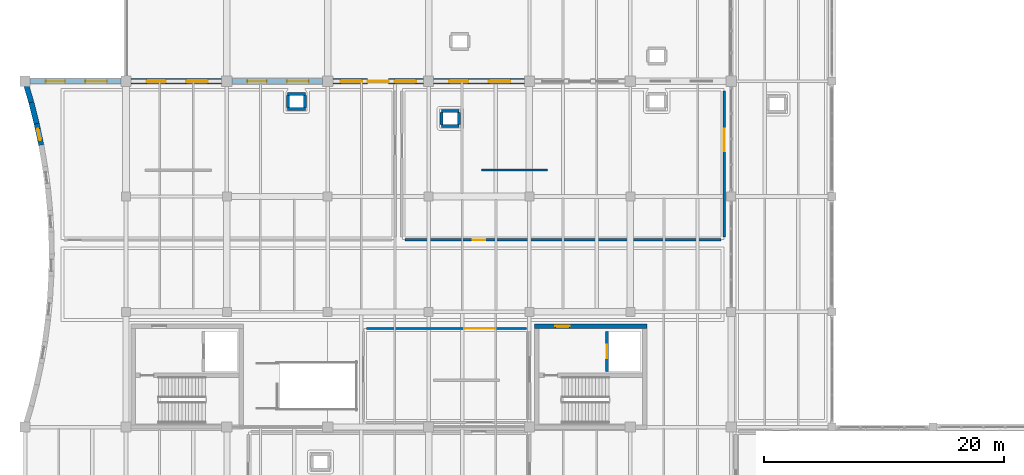
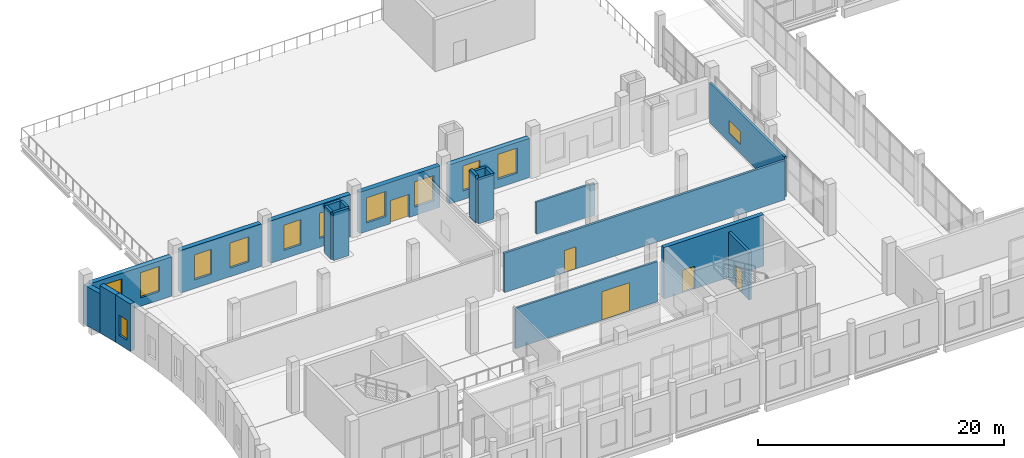
# One storey, part 56 of 73: 22 walls, 12 windows, 5 doors, 17 openings.
"""IFC4 building model written with IfcOpenShell, lengths in metres."""

from ifc_helpers import new_model, si_unit, direction, frame, frame_2d, origin, place, context, subcontext, project, spatial, rectangle, extrude, material, layer, layer_set, type_object, element, fill, save


model = new_model("IFC4")

# Units and contexts
model_context = context("Model", 3, precision=1e-05, world=origin(), true_north=direction((0.0, 1.0)))
body_context = subcontext(model_context, "Body", "Model", "MODEL_VIEW")
ifc_project = project(units=[si_unit("LENGTHUNIT", "METRE"), si_unit("AREAUNIT", "SQUARE_METRE"), si_unit("VOLUMEUNIT", "CUBIC_METRE"), si_unit("PLANEANGLEUNIT", "RADIAN"), si_unit("MASSUNIT", "GRAM", prefix="KILO")], contexts=[model_context])

# Site, building, storey
site_placement = place(None, origin())
site = spatial("IfcSite", under=ifc_project, at=site_placement, CompositionType="ELEMENT")
building_placement = place(site_placement, origin())
building = spatial("IfcBuilding", under=site, at=building_placement, Name="Zulmaris Art Gallery", CompositionType="ELEMENT")
storey_placement = place(building_placement, frame((0.0, 0.0, 10.5)))
storey = spatial("IfcBuildingStorey", under=building, at=storey_placement, Name="L02", CompositionType="ELEMENT", Elevation=10.5)

# Wall, opening, window
ifc_material_1 = material(Name="Omani Cream Limestone Ashlar Masonry", Category="masonry")
ifc_layer_1 = layer(ifc_material_1, 0.43994140625)
ifc_layer_set_1 = layer_set([ifc_layer_1], Name="Omani Cream Limestone Ashlar Masonry")
wall_type_1 = type_object("IfcWallType", Name="ENV-WALL-EW01", PredefinedType="SOLIDWALL", material=ifc_layer_set_1)
wall_1_placement = place(storey_placement, frame((25.34326171875, 45.085693359375, 0.0), z_axis=(0.0, 0.0, 1.0), x_axis=(-0.207941813813, 0.978141197409, 0.0)))
wall_1 = element("IfcWall", 1, at=wall_1_placement, inside=storey, type_object=wall_type_1, Name="L02 Concave Scooped Limestone Chord 14", PredefinedType="SOLIDWALL", context=body_context, shape_type="SweptSolid", body=[
    extrude(rectangle(XDim=1.828125, YDim=0.43994140625, at=frame_2d((0.9140625, 0.0))), origin(), (0.0, 0.0, 1.0), 4.699951171875),
])
opening_1_placement = place(wall_1_placement, frame((0.419921875, 0.0, 0.89990234375)))
opening_1 = element("IfcOpeningElement", 2, at=opening_1_placement, cuts=wall_1, Name="Opening W06", PredefinedType="OPENING", context=body_context, shape_type="SweptSolid", body=[
    extrude(rectangle(XDim=0.949951171875, YDim=2.0, at=frame_2d((0.47509765625, 1.0))), frame((0.0, 0.22998046875, 0.0), z_axis=(0.0, -1.0, 0.0), x_axis=(1.0, 0.0, 0.0)), (0.0, 0.0, 1.0), 0.4599609375),
])
ifc_material_2 = material(Name="Art Deco Stepped-Head Pier Window", Category="glass")
window_type_1 = type_object("IfcWindowType", Name="WIN-W06", PartitioningType="SINGLE_PANEL", PredefinedType="WINDOW", material=ifc_material_2)
window_1_placement = place(opening_1_placement, origin())
window_1 = element("IfcWindow", 3, at=window_1_placement, inside=storey, type_object=window_type_1, Name="L02 exterior window W06", OverallHeight=2.0, OverallWidth=0.949951171875, PartitioningType="SINGLE_PANEL", PredefinedType="WINDOW", context=body_context, shape_type="SweptSolid", body=[
    extrude(rectangle(XDim=0.949951171875, YDim=2.0, at=frame_2d((0.47509765625, 1.0))), frame((0.0, 0.030029296875, 0.0), z_axis=(0.0, -1.0, 0.0), x_axis=(1.0, 0.0, 0.0)), (0.0, 0.0, 1.0), 0.06005859375),
])
fill(opening_1, window_1)

# Walls
wall_2_placement = place(storey_placement, frame((24.963134765625, 46.873779296875, 0.0), z_axis=(0.0, 0.0, 1.0), x_axis=(-0.245080262371, 0.969502792671, 0.0)))
element("IfcWall", 4, at=wall_2_placement, inside=storey, type_object=wall_type_1, Name="L02 Concave Scooped Limestone Chord 15", PredefinedType="SOLIDWALL", context=body_context, shape_type="SweptSolid", body=[
    extrude(rectangle(XDim=1.827880859375, YDim=0.43994140625, at=frame_2d((0.9140625, 0.0))), origin(), (0.0, 0.0, 1.0), 4.699951171875),
])
wall_3_placement = place(storey_placement, frame((24.51513671875, 48.64599609375, 0.0), z_axis=(0.0, 0.0, 1.0), x_axis=(-0.281804764954, 0.959471768448, 0.0)))
element("IfcWall", 5, at=wall_3_placement, inside=storey, type_object=wall_type_1, Name="L02 Concave Scooped Limestone Chord 16", PredefinedType="SOLIDWALL", context=body_context, shape_type="SweptSolid", body=[
    extrude(rectangle(XDim=1.827880859375, YDim=0.43994140625, at=frame_2d((0.9140625, 0.0))), origin(), (0.0, 0.0, 1.0), 3.89990234375),
])

# Wall, openings, windows
wall_4_placement = place(storey_placement, frame((24.427001953125, 50.39990234375, 0.0), z_axis=(0.0, 0.0, 1.0), x_axis=(1.0, 0.0, 0.0)))
wall_4 = element("IfcWall", 6, at=wall_4_placement, inside=storey, type_object=wall_type_1, Name="L02 V1 North Wall Bay 1", PredefinedType="SOLIDWALL", context=body_context, shape_type="SweptSolid", body=[
    extrude(rectangle(XDim=7.5458984375, YDim=0.43994140625, at=frame_2d((3.77294921875, 0.0))), origin(), (0.0, 0.0, 1.0), 3.89990234375),
])
opening_2_placement = place(wall_4_placement, frame((1.29296875, 0.0, 0.85009765625)))
opening_2 = element("IfcOpeningElement", 7, at=opening_2_placement, cuts=wall_4, Name="Opening W01", PredefinedType="OPENING", context=body_context, shape_type="SweptSolid", body=[
    extrude(rectangle(XDim=1.60009765625, YDim=2.5, at=frame_2d((0.800048828125, 1.25))), frame((0.0, 0.22998046875, 0.0), z_axis=(0.0, -1.0, 0.0), x_axis=(1.0, 0.0, 0.0)), (0.0, 0.0, 1.0), 0.4599609375),
])
opening_3_placement = place(wall_4_placement, frame((4.593017578125, 0.0, 0.85009765625)))
opening_3 = element("IfcOpeningElement", 8, at=opening_3_placement, cuts=wall_4, Name="Opening W02", PredefinedType="OPENING", context=body_context, shape_type="SweptSolid", body=[
    extrude(rectangle(XDim=1.800048828125, YDim=2.5, at=frame_2d((0.89990234375, 1.25))), frame((0.0, 0.22998046875, 0.0), z_axis=(0.0, -1.0, 0.0), x_axis=(1.0, 0.0, 0.0)), (0.0, 0.0, 1.0), 0.4599609375),
])
ifc_material_3 = material(Name="Double-Glazed Solar-Control Low-E Window", Category="glass")
window_type_2 = type_object("IfcWindowType", Name="WIN-W01", PartitioningType="SINGLE_PANEL", PredefinedType="WINDOW", material=ifc_material_3)
window_2_placement = place(opening_2_placement, origin())
window_2 = element("IfcWindow", 9, at=window_2_placement, inside=storey, type_object=window_type_2, Name="L02 exterior window W01", OverallHeight=2.5, OverallWidth=1.60009765625, PartitioningType="SINGLE_PANEL", PredefinedType="WINDOW", context=body_context, shape_type="SweptSolid", body=[
    extrude(rectangle(XDim=1.60009765625, YDim=2.5, at=frame_2d((0.800048828125, 1.25))), frame((0.0, 0.030029296875, 0.0), z_axis=(0.0, -1.0, 0.0), x_axis=(1.0, 0.0, 0.0)), (0.0, 0.0, 1.0), 0.06005859375),
])
fill(opening_2, window_2)
window_type_3 = type_object("IfcWindowType", Name="WIN-W02", PartitioningType="SINGLE_PANEL", PredefinedType="WINDOW", material=ifc_material_3)
window_3_placement = place(opening_3_placement, origin())
window_3 = element("IfcWindow", 10, at=window_3_placement, inside=storey, type_object=window_type_3, Name="L02 exterior window W02", OverallHeight=2.5, OverallWidth=1.800048828125, PartitioningType="SINGLE_PANEL", PredefinedType="WINDOW", context=body_context, shape_type="SweptSolid", body=[
    extrude(rectangle(XDim=1.800048828125, YDim=2.5, at=frame_2d((0.89990234375, 1.25))), frame((0.0, 0.030029296875, 0.0), z_axis=(0.0, -1.0, 0.0), x_axis=(1.0, 0.0, 0.0)), (0.0, 0.0, 1.0), 0.06005859375),
])
fill(opening_3, window_3)

wall_5_placement = place(storey_placement, frame((32.826904296875, 50.39990234375, 0.0), z_axis=(0.0, 0.0, 1.0), x_axis=(1.0, 0.0, 0.0)))
wall_5 = element("IfcWall", 11, at=wall_5_placement, inside=storey, type_object=wall_type_1, Name="L02 V1 North Wall Bay 2", PredefinedType="SOLIDWALL", context=body_context, shape_type="SweptSolid", body=[
    extrude(rectangle(XDim=7.546142578125, YDim=0.43994140625, at=frame_2d((3.77294921875, 0.0))), origin(), (0.0, 0.0, 1.0), 4.22998046875),
])
opening_4_placement = place(wall_5_placement, frame((1.29296875, 0.0, 0.85009765625)))
opening_4 = element("IfcOpeningElement", 12, at=opening_4_placement, cuts=wall_5, Name="Opening W01", PredefinedType="OPENING", context=body_context, shape_type="SweptSolid", body=[
    extrude(rectangle(XDim=1.60009765625, YDim=2.5, at=frame_2d((0.800048828125, 1.25))), frame((0.0, 0.22998046875, 0.0), z_axis=(0.0, -1.0, 0.0), x_axis=(1.0, 0.0, 0.0)), (0.0, 0.0, 1.0), 0.4599609375),
])
opening_5_placement = place(wall_5_placement, frame((4.593017578125, 0.0, 0.85009765625)))
opening_5 = element("IfcOpeningElement", 13, at=opening_5_placement, cuts=wall_5, Name="Opening W02", PredefinedType="OPENING", context=body_context, shape_type="SweptSolid", body=[
    extrude(rectangle(XDim=1.800048828125, YDim=2.5, at=frame_2d((0.89990234375, 1.25))), frame((0.0, 0.22998046875, 0.0), z_axis=(0.0, -1.0, 0.0), x_axis=(1.0, 0.0, 0.0)), (0.0, 0.0, 1.0), 0.4599609375),
])
window_4_placement = place(opening_4_placement, origin())
window_4 = element("IfcWindow", 14, at=window_4_placement, inside=storey, type_object=window_type_2, Name="L02 exterior window W01", OverallHeight=2.5, OverallWidth=1.60009765625, PartitioningType="SINGLE_PANEL", PredefinedType="WINDOW", context=body_context, shape_type="SweptSolid", body=[
    extrude(rectangle(XDim=1.60009765625, YDim=2.5, at=frame_2d((0.800048828125, 1.25))), frame((0.0, 0.030029296875, 0.0), z_axis=(0.0, -1.0, 0.0), x_axis=(1.0, 0.0, 0.0)), (0.0, 0.0, 1.0), 0.06005859375),
])
fill(opening_4, window_4)
window_5_placement = place(opening_5_placement, origin())
window_5 = element("IfcWindow", 15, at=window_5_placement, inside=storey, type_object=window_type_3, Name="L02 exterior window W02", OverallHeight=2.5, OverallWidth=1.800048828125, PartitioningType="SINGLE_PANEL", PredefinedType="WINDOW", context=body_context, shape_type="SweptSolid", body=[
    extrude(rectangle(XDim=1.800048828125, YDim=2.5, at=frame_2d((0.89990234375, 1.25))), frame((0.0, 0.030029296875, 0.0), z_axis=(0.0, -1.0, 0.0), x_axis=(1.0, 0.0, 0.0)), (0.0, 0.0, 1.0), 0.06005859375),
])
fill(opening_5, window_5)

wall_6_placement = place(storey_placement, frame((41.22705078125, 50.39990234375, 0.0), z_axis=(0.0, 0.0, 1.0), x_axis=(1.0, 0.0, 0.0)))
wall_6 = element("IfcWall", 16, at=wall_6_placement, inside=storey, type_object=wall_type_1, Name="L02 V1 North Wall Bay 3", PredefinedType="SOLIDWALL", context=body_context, shape_type="SweptSolid", body=[
    extrude(rectangle(XDim=7.5458984375, YDim=0.43994140625, at=frame_2d((3.77294921875, 0.0))), origin(), (0.0, 0.0, 1.0), 4.2099609375),
])
opening_6_placement = place(wall_6_placement, frame((1.29296875, 0.0, 0.85009765625)))
opening_6 = element("IfcOpeningElement", 17, at=opening_6_placement, cuts=wall_6, Name="Opening W01", PredefinedType="OPENING", context=body_context, shape_type="SweptSolid", body=[
    extrude(rectangle(XDim=1.60009765625, YDim=2.5, at=frame_2d((0.800048828125, 1.25))), frame((0.0, 0.22998046875, 0.0), z_axis=(0.0, -1.0, 0.0), x_axis=(1.0, 0.0, 0.0)), (0.0, 0.0, 1.0), 0.4599609375),
])
opening_7_placement = place(wall_6_placement, frame((4.593017578125, 0.0, 0.85009765625)))
opening_7 = element("IfcOpeningElement", 18, at=opening_7_placement, cuts=wall_6, Name="Opening W02", PredefinedType="OPENING", context=body_context, shape_type="SweptSolid", body=[
    extrude(rectangle(XDim=1.800048828125, YDim=2.5, at=frame_2d((0.89990234375, 1.25))), frame((0.0, 0.22998046875, 0.0), z_axis=(0.0, -1.0, 0.0), x_axis=(1.0, 0.0, 0.0)), (0.0, 0.0, 1.0), 0.4599609375),
])
window_6_placement = place(opening_6_placement, origin())
window_6 = element("IfcWindow", 19, at=window_6_placement, inside=storey, type_object=window_type_2, Name="L02 exterior window W01", OverallHeight=2.5, OverallWidth=1.60009765625, PartitioningType="SINGLE_PANEL", PredefinedType="WINDOW", context=body_context, shape_type="SweptSolid", body=[
    extrude(rectangle(XDim=1.60009765625, YDim=2.5, at=frame_2d((0.800048828125, 1.25))), frame((0.0, 0.030029296875, 0.0), z_axis=(0.0, -1.0, 0.0), x_axis=(1.0, 0.0, 0.0)), (0.0, 0.0, 1.0), 0.06005859375),
])
fill(opening_6, window_6)
window_7_placement = place(opening_7_placement, origin())
window_7 = element("IfcWindow", 20, at=window_7_placement, inside=storey, type_object=window_type_3, Name="L02 exterior window W02", OverallHeight=2.5, OverallWidth=1.800048828125, PartitioningType="SINGLE_PANEL", PredefinedType="WINDOW", context=body_context, shape_type="SweptSolid", body=[
    extrude(rectangle(XDim=1.800048828125, YDim=2.5, at=frame_2d((0.89990234375, 1.25))), frame((0.0, 0.030029296875, 0.0), z_axis=(0.0, -1.0, 0.0), x_axis=(1.0, 0.0, 0.0)), (0.0, 0.0, 1.0), 0.06005859375),
])
fill(opening_7, window_7)

# Wall, openings, door, windows
wall_7_placement = place(storey_placement, frame((49.626953125, 50.39990234375, 0.0), z_axis=(0.0, 0.0, 1.0), x_axis=(1.0, 0.0, 0.0)))
wall_7 = element("IfcWall", 21, at=wall_7_placement, inside=storey, type_object=wall_type_1, Name="L02 V1 North Wall Bay 4", PredefinedType="SOLIDWALL", context=body_context, shape_type="SweptSolid", body=[
    extrude(rectangle(XDim=7.546142578125, YDim=0.43994140625, at=frame_2d((3.77294921875, 0.0))), origin(), (0.0, 0.0, 1.0), 4.10009765625),
])
opening_8_placement = place(wall_7_placement, frame((0.64306640625, 0.0, 0.85009765625)))
opening_8 = element("IfcOpeningElement", 22, at=opening_8_placement, cuts=wall_7, Name="Opening W02", PredefinedType="OPENING", context=body_context, shape_type="SweptSolid", body=[
    extrude(rectangle(XDim=1.800048828125, YDim=2.5, at=frame_2d((0.89990234375, 1.25))), frame((0.0, 0.22998046875, 0.0), z_axis=(0.0, -1.0, 0.0), x_axis=(1.0, 0.0, 0.0)), (0.0, 0.0, 1.0), 0.4599609375),
])
opening_9_placement = place(wall_7_placement, frame((5.14306640625, 0.0, 0.85009765625)))
opening_9 = element("IfcOpeningElement", 23, at=opening_9_placement, cuts=wall_7, Name="Opening W02", PredefinedType="OPENING", context=body_context, shape_type="SweptSolid", body=[
    extrude(rectangle(XDim=1.800048828125, YDim=2.5, at=frame_2d((0.89990234375, 1.25))), frame((0.0, 0.22998046875, 0.0), z_axis=(0.0, -1.0, 0.0), x_axis=(1.0, 0.0, 0.0)), (0.0, 0.0, 1.0), 0.4599609375),
])
opening_10_placement = place(wall_7_placement, frame((2.89306640625, 0.0, 0.0)))
opening_10 = element("IfcOpeningElement", 24, at=opening_10_placement, cuts=wall_7, Name="Opening TD01", PredefinedType="OPENING", context=body_context, shape_type="SweptSolid", body=[
    extrude(rectangle(XDim=1.75, YDim=2.300048828125, at=frame_2d((0.875, 1.14990234375))), frame((0.0, 0.22998046875, 0.0), z_axis=(0.0, -1.0, 0.0), x_axis=(1.0, 0.0, 0.0)), (0.0, 0.0, 1.0), 0.4599609375),
])
ifc_material_4 = material(Name="Bronze-Framed Terrace Access Double Door", Category="glass")
door_type_1 = type_object("IfcDoorType", Name="EDOOR-TD01", OperationType="DOUBLE_SWING_LEFT", PredefinedType="DOOR", material=ifc_material_4)
door_1_placement = place(opening_10_placement, origin())
door_1 = element("IfcDoor", 25, at=door_1_placement, inside=storey, type_object=door_type_1, Name="L02 Auditorium Roof Terrace Door 3", OperationType="DOUBLE_SWING_LEFT", OverallHeight=2.300048828125, OverallWidth=1.75, PredefinedType="DOOR", context=body_context, shape_type="SweptSolid", body=[
    extrude(rectangle(XDim=1.75, YDim=2.300048828125, at=frame_2d((0.875, 1.14990234375))), frame((0.0, 0.02490234375, 0.0), z_axis=(0.0, -1.0, 0.0), x_axis=(1.0, 0.0, 0.0)), (0.0, 0.0, 1.0), 0.050048828125),
])
fill(opening_10, door_1)
window_8_placement = place(opening_8_placement, origin())
window_8 = element("IfcWindow", 26, at=window_8_placement, inside=storey, type_object=window_type_3, Name="L02 exterior window W02", OverallHeight=2.5, OverallWidth=1.800048828125, PartitioningType="SINGLE_PANEL", PredefinedType="WINDOW", context=body_context, shape_type="SweptSolid", body=[
    extrude(rectangle(XDim=1.800048828125, YDim=2.5, at=frame_2d((0.89990234375, 1.25))), frame((0.0, 0.030029296875, 0.0), z_axis=(0.0, -1.0, 0.0), x_axis=(1.0, 0.0, 0.0)), (0.0, 0.0, 1.0), 0.06005859375),
])
fill(opening_8, window_8)
window_9_placement = place(opening_9_placement, origin())
window_9 = element("IfcWindow", 27, at=window_9_placement, inside=storey, type_object=window_type_3, Name="L02 exterior window W02", OverallHeight=2.5, OverallWidth=1.800048828125, PartitioningType="SINGLE_PANEL", PredefinedType="WINDOW", context=body_context, shape_type="SweptSolid", body=[
    extrude(rectangle(XDim=1.800048828125, YDim=2.5, at=frame_2d((0.89990234375, 1.25))), frame((0.0, 0.030029296875, 0.0), z_axis=(0.0, -1.0, 0.0), x_axis=(1.0, 0.0, 0.0)), (0.0, 0.0, 1.0), 0.06005859375),
])
fill(opening_9, window_9)

# Wall, openings, windows
wall_8_placement = place(storey_placement, frame((58.027099609375, 50.39990234375, 0.0), z_axis=(0.0, 0.0, 1.0), x_axis=(1.0, 0.0, 0.0)))
wall_8 = element("IfcWall", 28, at=wall_8_placement, inside=storey, type_object=wall_type_1, Name="L02 V1 North Wall Bay 5", PredefinedType="SOLIDWALL", context=body_context, shape_type="SweptSolid", body=[
    extrude(rectangle(XDim=7.5458984375, YDim=0.43994140625, at=frame_2d((3.77294921875, 0.0))), origin(), (0.0, 0.0, 1.0), 3.89990234375),
])
opening_11_placement = place(wall_8_placement, frame((1.29296875, 0.0, 0.85009765625)))
opening_11 = element("IfcOpeningElement", 29, at=opening_11_placement, cuts=wall_8, Name="Opening W01", PredefinedType="OPENING", context=body_context, shape_type="SweptSolid", body=[
    extrude(rectangle(XDim=1.60009765625, YDim=2.5, at=frame_2d((0.800048828125, 1.25))), frame((0.0, 0.22998046875, 0.0), z_axis=(0.0, -1.0, 0.0), x_axis=(1.0, 0.0, 0.0)), (0.0, 0.0, 1.0), 0.4599609375),
])
opening_12_placement = place(wall_8_placement, frame((4.593017578125, 0.0, 0.85009765625)))
opening_12 = element("IfcOpeningElement", 30, at=opening_12_placement, cuts=wall_8, Name="Opening W02", PredefinedType="OPENING", context=body_context, shape_type="SweptSolid", body=[
    extrude(rectangle(XDim=1.800048828125, YDim=2.5, at=frame_2d((0.89990234375, 1.25))), frame((0.0, 0.22998046875, 0.0), z_axis=(0.0, -1.0, 0.0), x_axis=(1.0, 0.0, 0.0)), (0.0, 0.0, 1.0), 0.4599609375),
])
window_10_placement = place(opening_11_placement, origin())
window_10 = element("IfcWindow", 31, at=window_10_placement, inside=storey, type_object=window_type_2, Name="L02 exterior window W01", OverallHeight=2.5, OverallWidth=1.60009765625, PartitioningType="SINGLE_PANEL", PredefinedType="WINDOW", context=body_context, shape_type="SweptSolid", body=[
    extrude(rectangle(XDim=1.60009765625, YDim=2.5, at=frame_2d((0.800048828125, 1.25))), frame((0.0, 0.030029296875, 0.0), z_axis=(0.0, -1.0, 0.0), x_axis=(1.0, 0.0, 0.0)), (0.0, 0.0, 1.0), 0.06005859375),
])
fill(opening_11, window_10)
window_11_placement = place(opening_12_placement, origin())
window_11 = element("IfcWindow", 32, at=window_11_placement, inside=storey, type_object=window_type_3, Name="L02 exterior window W02", OverallHeight=2.5, OverallWidth=1.800048828125, PartitioningType="SINGLE_PANEL", PredefinedType="WINDOW", context=body_context, shape_type="SweptSolid", body=[
    extrude(rectangle(XDim=1.800048828125, YDim=2.5, at=frame_2d((0.89990234375, 1.25))), frame((0.0, 0.030029296875, 0.0), z_axis=(0.0, -1.0, 0.0), x_axis=(1.0, 0.0, 0.0)), (0.0, 0.0, 1.0), 0.06005859375),
])
fill(opening_12, window_11)

# Wall
ifc_material_5 = material(Name="Track-Hung Acoustic Gallery Display Wall B", Category="timber")
ifc_layer_2 = layer(ifc_material_5, 0.181884765625)
ifc_layer_set_2 = layer_set([ifc_layer_2], Name="Track-Hung Acoustic Gallery Display Wall B")
wall_type_2 = type_object("IfcWallType", Name="IWALL-MW02", PredefinedType="MOVABLE", material=ifc_layer_set_2)
wall_9_placement = place(storey_placement, frame((62.0, 43.0, 0.0), z_axis=(0.0, 0.0, 1.0), x_axis=(1.0, 0.0, 0.0)))
element("IfcWall", 33, at=wall_9_placement, inside=storey, type_object=wall_type_2, Name="L02 Movable Gallery Display Wall 10", PredefinedType="MOVABLE", context=body_context, shape_type="SweptSolid", body=[
    extrude(rectangle(XDim=5.5, YDim=0.181884765625, at=frame_2d((2.75, 0.0))), origin(), (0.0, 0.0, 1.0), 3.199951171875),
])

# Wall, opening, door
ifc_material_6 = material(Name="Acoustic Studio Separation Partition", Category="gypsum")
ifc_layer_3 = layer(ifc_material_6, 0.175048828125)
ifc_layer_set_3 = layer_set([ifc_layer_3], Name="Acoustic Studio Separation Partition")
wall_type_3 = type_object("IfcWallType", Name="IWALL-PW06", PredefinedType="PARTITIONING", material=ifc_layer_set_3)
wall_10_placement = place(storey_placement, frame((52.429931640625, 29.820068359375, 0.0), z_axis=(0.0, 0.0, 1.0), x_axis=(1.0, 0.0, 0.0)))
wall_10 = element("IfcWall", 34, at=wall_10_placement, inside=storey, type_object=wall_type_3, Name="Works on Paper & Rare Prints Gallery N partition", PredefinedType="PARTITIONING", context=body_context, shape_type="SweptSolid", body=[
    extrude(rectangle(XDim=13.340087890625, YDim=0.175048828125, at=frame_2d((6.669921875, 0.0))), origin(), (0.0, 0.0, 1.0), 4.0),
])
opening_13_placement = place(wall_10_placement, frame((8.14990234375, 0.0, 0.0)))
opening_13 = element("IfcOpeningElement", 35, at=opening_13_placement, cuts=wall_10, Name="Opening VG02", PredefinedType="OPENING", context=body_context, shape_type="SweptSolid", body=[
    extrude(rectangle(XDim=2.580078125, YDim=2.820068359375, at=frame_2d((1.2900390625, 1.41015625))), frame((0.0, 0.097412109375, 0.0), z_axis=(0.0, -1.0, 0.0), x_axis=(1.0, 0.0, 0.0)), (0.0, 0.0, 1.0), 0.195068359375),
])
ifc_material_7 = material(Name="Sculpture Vault Heavy Security Gate B", Category="steel")
door_type_2 = type_object("IfcDoorType", Name="IDOOR-VG02", OperationType="DOUBLE_SWING_RIGHT", PredefinedType="GATE", material=ifc_material_7)
door_2_placement = place(opening_13_placement, origin())
door_2 = element("IfcDoor", 36, at=door_2_placement, inside=storey, type_object=door_type_2, Name="Works on Paper & Rare Prints Gallery Door", OperationType="DOUBLE_SWING_RIGHT", OverallHeight=2.820068359375, OverallWidth=2.580078125, PredefinedType="GATE", context=body_context, shape_type="SweptSolid", body=[
    extrude(rectangle(XDim=2.580078125, YDim=2.820068359375, at=frame_2d((1.2900390625, 1.41015625))), frame((0.0, 0.02490234375, 0.0), z_axis=(0.0, -1.0, 0.0), x_axis=(1.0, 0.0, 0.0)), (0.0, 0.0, 1.0), 0.050048828125),
])
fill(opening_13, door_2)

ifc_material_8 = material(Name="Fire-Rated Corridor Compartment Wall", Category="masonry")
ifc_layer_4 = layer(ifc_material_8, 0.205078125)
ifc_layer_set_4 = layer_set([ifc_layer_4], Name="Fire-Rated Corridor Compartment Wall")
wall_type_4 = type_object("IfcWallType", Name="IWALL-PW08", PredefinedType="PARTITIONING", material=ifc_layer_set_4)
wall_11_placement = place(storey_placement, frame((55.6298828125, 37.179931640625, 0.0), z_axis=(0.0, 0.0, 1.0), x_axis=(1.0, 0.0, 0.0)))
wall_11 = element("IfcWall", 37, at=wall_11_placement, inside=storey, type_object=wall_type_4, Name="Terrace Overlook Salon S partition", PredefinedType="PARTITIONING", context=body_context, shape_type="SweptSolid", body=[
    extrude(rectangle(XDim=26.340087890625, YDim=0.205078125, at=frame_2d((13.169921875, 0.0))), origin(), (0.0, 0.0, 1.0), 3.89990234375),
])
opening_14_placement = place(wall_11_placement, frame((5.64990234375, 0.0, 0.0)))
opening_14 = element("IfcOpeningElement", 38, at=opening_14_placement, cuts=wall_11, Name="Opening D05", PredefinedType="OPENING", context=body_context, shape_type="SweptSolid", body=[
    extrude(rectangle(XDim=1.06005859375, YDim=2.199951171875, at=frame_2d((0.530029296875, 1.10009765625))), frame((0.0, 0.112548828125, 0.0), z_axis=(0.0, -1.0, 0.0), x_axis=(1.0, 0.0, 0.0)), (0.0, 0.0, 1.0), 0.22509765625),
])
ifc_material_9 = material(Name="Resident Artists Studio Door", Category="timber")
door_type_3 = type_object("IfcDoorType", Name="IDOOR-D05", OperationType="NOTDEFINED", PredefinedType="DOOR", material=ifc_material_9)
door_3_placement = place(opening_14_placement, origin())
door_3 = element("IfcDoor", 39, at=door_3_placement, inside=storey, type_object=door_type_3, Name="Terrace Overlook Salon Door", OperationType="SINGLE_SWING_RIGHT", OverallHeight=2.199951171875, OverallWidth=1.06005859375, PredefinedType="DOOR", context=body_context, shape_type="SweptSolid", body=[
    extrude(rectangle(XDim=1.06005859375, YDim=2.199951171875, at=frame_2d((0.530029296875, 1.10009765625))), frame((0.0, 0.02490234375, 0.0), z_axis=(0.0, -1.0, 0.0), x_axis=(1.0, 0.0, 0.0)), (0.0, 0.0, 1.0), 0.050048828125),
])
fill(opening_14, door_3)

# Wall, opening, window
wall_12_placement = place(storey_placement, frame((82.219970703125, 37.429931640625, 0.0), z_axis=(0.0, 0.0, 1.0), x_axis=(0.0, 1.0, 0.0)))
wall_12 = element("IfcWall", 40, at=wall_12_placement, inside=storey, type_object=wall_type_4, Name="Terrace Overlook Salon E partition", PredefinedType="PARTITIONING", context=body_context, shape_type="SweptSolid", body=[
    extrude(rectangle(XDim=12.14013671875, YDim=0.205078125, at=frame_2d((6.070068359375, 0.0))), origin(), (0.0, 0.0, 1.0), 4.0),
])
opening_15_placement = place(wall_12_placement, frame((7.14990234375, 0.0, 0.89990234375)))
opening_15 = element("IfcOpeningElement", 41, at=opening_15_placement, cuts=wall_12, Name="Opening IW02", PredefinedType="OPENING", context=body_context, shape_type="SweptSolid", body=[
    extrude(rectangle(XDim=1.860107421875, YDim=1.280029296875, at=frame_2d((0.93017578125, 0.64013671875))), frame((0.0, 0.112548828125, 0.0), z_axis=(0.0, -1.0, 0.0), x_axis=(1.0, 0.0, 0.0)), (0.0, 0.0, 1.0), 0.22509765625),
])
ifc_material_10 = material(Name="Auditorium Booth Acoustic Window", Category="glass")
window_type_4 = type_object("IfcWindowType", Name="IWIN-IW02", PartitioningType="SINGLE_PANEL", PredefinedType="WINDOW", material=ifc_material_10)
window_12_placement = place(opening_15_placement, origin())
window_12 = element("IfcWindow", 42, at=window_12_placement, inside=storey, type_object=window_type_4, Name="L02 interior observation window IW02", OverallHeight=1.280029296875, OverallWidth=1.860107421875, PartitioningType="SINGLE_PANEL", PredefinedType="WINDOW", context=body_context, shape_type="SweptSolid", body=[
    extrude(rectangle(XDim=1.860107421875, YDim=1.280029296875, at=frame_2d((0.93017578125, 0.64013671875))), frame((0.0, 0.030029296875, 0.0), z_axis=(0.0, -1.0, 0.0), x_axis=(1.0, 0.0, 0.0)), (0.0, 0.0, 1.0), 0.06005859375),
])
fill(opening_15, window_12)

# Wall, opening, door
ifc_material_11 = material(Name="Core Lobby Fire-Resisting Masonry Wall", Category="masonry")
ifc_layer_5 = layer(ifc_material_11, 0.235107421875)
ifc_layer_set_5 = layer_set([ifc_layer_5], Name="Core Lobby Fire-Resisting Masonry Wall")
wall_type_5 = type_object("IfcWallType", Name="IWALL-PW10", PredefinedType="PARTITIONING", material=ifc_layer_set_5)
wall_13_placement = place(storey_placement, frame((72.449951171875, 26.219970703125, 0.0), z_axis=(0.0, 0.0, 1.0), x_axis=(0.0, 1.0, 0.0)))
wall_13 = element("IfcWall", 43, at=wall_13_placement, inside=storey, type_object=wall_type_5, Name="LF-P2 L02 lift shaft front wall", PredefinedType="PARTITIONING", context=body_context, shape_type="SweptSolid", body=[
    extrude(rectangle(XDim=3.330078125, YDim=0.235107421875, at=frame_2d((1.6650390625, 0.0))), origin(), (0.0, 0.0, 1.0), 4.719970703125),
])
opening_16_placement = place(wall_13_placement, frame((1.114990234375, 0.0, 0.0)))
opening_16 = element("IfcOpeningElement", 44, at=opening_16_placement, cuts=wall_13, Name="Opening LD01", PredefinedType="OPENING", context=body_context, shape_type="SweptSolid", body=[
    extrude(rectangle(XDim=1.10009765625, YDim=2.199951171875, at=frame_2d((0.550048828125, 1.10009765625))), frame((0.0, 0.12744140625, 0.0), z_axis=(0.0, -1.0, 0.0), x_axis=(1.0, 0.0, 0.0)), (0.0, 0.0, 1.0), 0.255126953125),
])
ifc_material_12 = material(Name="Passenger Lift Sliding Landing Door", Category="steel")
door_type_4 = type_object("IfcDoorType", Name="IDOOR-LD01", OperationType="SLIDING_TO_LEFT", PredefinedType="DOOR", material=ifc_material_12)
door_4_placement = place(opening_16_placement, origin())
door_4 = element("IfcDoor", 45, at=door_4_placement, inside=storey, type_object=door_type_4, Name="LF-P2 L02 Lift Landing Sliding Door", OperationType="SLIDING_TO_LEFT", OverallHeight=2.199951171875, OverallWidth=1.10009765625, PredefinedType="DOOR", context=body_context, shape_type="SweptSolid", body=[
    extrude(rectangle(XDim=1.10009765625, YDim=2.199951171875, at=frame_2d((0.550048828125, 1.10009765625))), frame((0.0, 0.02490234375, 0.0), z_axis=(0.0, -1.0, 0.0), x_axis=(1.0, 0.0, 0.0)), (0.0, 0.0, 1.0), 0.050048828125),
])
fill(opening_16, door_4)

# Walls
ifc_material_13 = material(Name="MEP Riser & Smoke Shaft Enclosure Wall", Category="masonry")
ifc_layer_6 = layer(ifc_material_13, 0.2548828125)
ifc_layer_set_6 = layer_set([ifc_layer_6], Name="MEP Riser & Smoke Shaft Enclosure Wall")
wall_type_6 = type_object("IfcWallType", Name="IWALL-PW11", PredefinedType="PARTITIONING", material=ifc_layer_set_6)
for number, where, z_axis, x_axis, name in (
    (46, (45.860107421875, 49.320068359375, 0.0), (0.0, 0.0, 1.0), (1.0, 0.0, 0.0), "L02 MEP Riser 1 N wall"),
    (47, (45.860107421875, 48.080078125, 0.0), (0.0, 0.0, 1.0), (1.0, 0.0, 0.0), "L02 MEP Riser 1 S wall"),
):
    element("IfcWall", number, at=place(storey_placement, frame(where, z_axis=z_axis, x_axis=x_axis)), inside=storey, type_object=wall_type_6, Name=name, PredefinedType="PARTITIONING", context=body_context, shape_type="SweptSolid", body=[
        extrude(rectangle(XDim=1.47998046875, YDim=0.2548828125, at=frame_2d((0.739990234375, 0.0))), origin(), (0.0, 0.0, 1.0), 4.719970703125),
    ])
for number, where, z_axis, x_axis, name in (
    (48, (45.8798828125, 48.199951171875, 0.0), (0.0, 0.0, 1.0), (0.0, 1.0, 0.0), "L02 MEP Riser 1 W wall"),
    (49, (47.320068359375, 48.199951171875, 0.0), (0.0, 0.0, 1.0), (0.0, 1.0, 0.0), "L02 MEP Riser 1 E wall"),
):
    element("IfcWall", number, at=place(storey_placement, frame(where, z_axis=z_axis, x_axis=x_axis)), inside=storey, type_object=wall_type_6, Name=name, PredefinedType="PARTITIONING", context=body_context, shape_type="SweptSolid", body=[
        extrude(rectangle(XDim=1.0, YDim=0.2548828125, at=frame_2d((0.5, 0.0))), origin(), (0.0, 0.0, 1.0), 4.719970703125),
    ])
for number, where, z_axis, x_axis, name in (
    (50, (58.659912109375, 47.919921875, 0.0), (0.0, 0.0, 1.0), (1.0, 0.0, 0.0), "L02 MEP Riser 2 N wall"),
    (51, (58.659912109375, 46.679931640625, 0.0), (0.0, 0.0, 1.0), (1.0, 0.0, 0.0), "L02 MEP Riser 2 S wall"),
):
    element("IfcWall", number, at=place(storey_placement, frame(where, z_axis=z_axis, x_axis=x_axis)), inside=storey, type_object=wall_type_6, Name=name, PredefinedType="PARTITIONING", context=body_context, shape_type="SweptSolid", body=[
        extrude(rectangle(XDim=1.47998046875, YDim=0.2548828125, at=frame_2d((0.739990234375, 0.0))), origin(), (0.0, 0.0, 1.0), 4.3701171875),
    ])
wall_14_placement = place(storey_placement, frame((58.679931640625, 46.800048828125, 0.0), z_axis=(0.0, 0.0, 1.0), x_axis=(0.0, 1.0, 0.0)))
element("IfcWall", 52, at=wall_14_placement, inside=storey, type_object=wall_type_6, Name="L02 MEP Riser 2 W wall", PredefinedType="PARTITIONING", context=body_context, shape_type="SweptSolid", body=[
    extrude(rectangle(XDim=1.0, YDim=0.2548828125, at=frame_2d((0.5, 0.0))), origin(), (0.0, 0.0, 1.0), 4.719970703125),
])
wall_15_placement = place(storey_placement, frame((60.1201171875, 46.800048828125, 0.0), z_axis=(0.0, 0.0, 1.0), x_axis=(0.0, 1.0, 0.0)))
element("IfcWall", 53, at=wall_15_placement, inside=storey, type_object=wall_type_6, Name="L02 MEP Riser 2 E wall", PredefinedType="PARTITIONING", context=body_context, shape_type="SweptSolid", body=[
    extrude(rectangle(XDim=1.0, YDim=0.2548828125, at=frame_2d((0.5, 0.0))), origin(), (0.0, 0.0, 1.0), 4.3701171875),
])

# Wall, opening, door
ifc_material_14 = material(Name="Concrete C50/60", Category="concrete")
ifc_layer_7 = layer(ifc_material_14, 0.3798828125)
ifc_layer_set_7 = layer_set([ifc_layer_7], Name="Concrete C50/60")
wall_type_7 = type_object("IfcWallType", Name="STR-WALL-SW02", PredefinedType="SHEAR", material=ifc_layer_set_7)
wall_16_placement = place(storey_placement, frame((66.409912109375, 30.0, 0.0), z_axis=(0.0, 0.0, 1.0), x_axis=(1.0, 0.0, 0.0)))
wall_16 = element("IfcWall", 54, at=wall_16_placement, inside=storey, type_object=wall_type_7, Name="Core C2 L02 N shear wall", PredefinedType="SHEAR", context=body_context, shape_type="SweptSolid", body=[
    extrude(rectangle(XDim=9.380126953125, YDim=0.3798828125, at=frame_2d((4.68994140625, 0.0))), origin(), (0.0, 0.0, 1.0), 5.10009765625),
])
opening_17_placement = place(wall_16_placement, frame((1.75, 0.0, 0.0)))
opening_17 = element("IfcOpeningElement", 55, at=opening_17_placement, cuts=wall_16, Name="Opening D08", PredefinedType="OPENING", context=body_context, shape_type="SweptSolid", body=[
    extrude(rectangle(XDim=1.179931640625, YDim=2.239990234375, at=frame_2d((0.58984375, 1.1201171875))), frame((0.0, 0.199951171875, 0.0), z_axis=(0.0, -1.0, 0.0), x_axis=(1.0, 0.0, 0.0)), (0.0, 0.0, 1.0), 0.39990234375),
])
ifc_material_15 = material(Name="Firefighting Lobby Compartment Door", Category="steel")
door_type_5 = type_object("IfcDoorType", Name="IDOOR-D08", OperationType="NOTDEFINED", PredefinedType="DOOR", material=ifc_material_15)
door_5_placement = place(opening_17_placement, origin())
door_5 = element("IfcDoor", 56, at=door_5_placement, inside=storey, type_object=door_type_5, Name="Core C2 L02 Lobby Compartment Door", OperationType="SINGLE_SWING_RIGHT", OverallHeight=2.239990234375, OverallWidth=1.179931640625, PredefinedType="DOOR", context=body_context, shape_type="SweptSolid", body=[
    extrude(rectangle(XDim=1.179931640625, YDim=2.239990234375, at=frame_2d((0.58984375, 1.1201171875))), frame((0.0, 0.02490234375, 0.0), z_axis=(0.0, -1.0, 0.0), x_axis=(1.0, 0.0, 0.0)), (0.0, 0.0, 1.0), 0.050048828125),
])
fill(opening_17, door_5)

save(model, "model.ifc")
